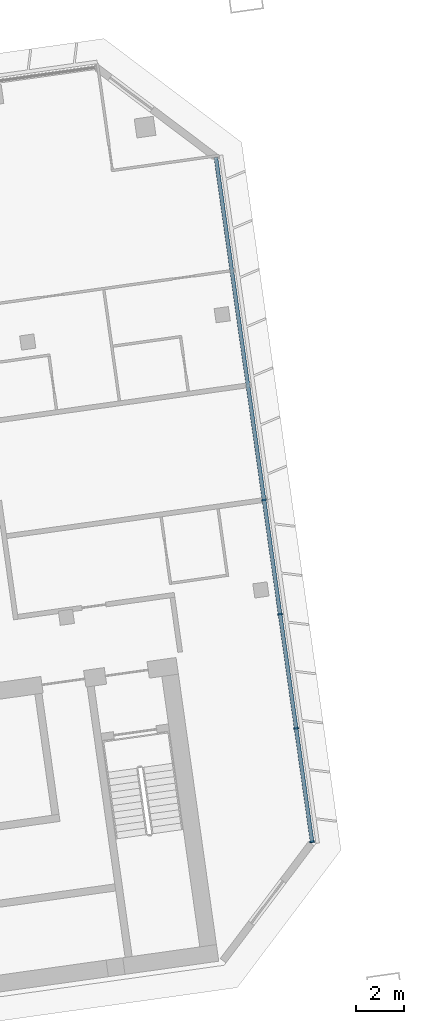
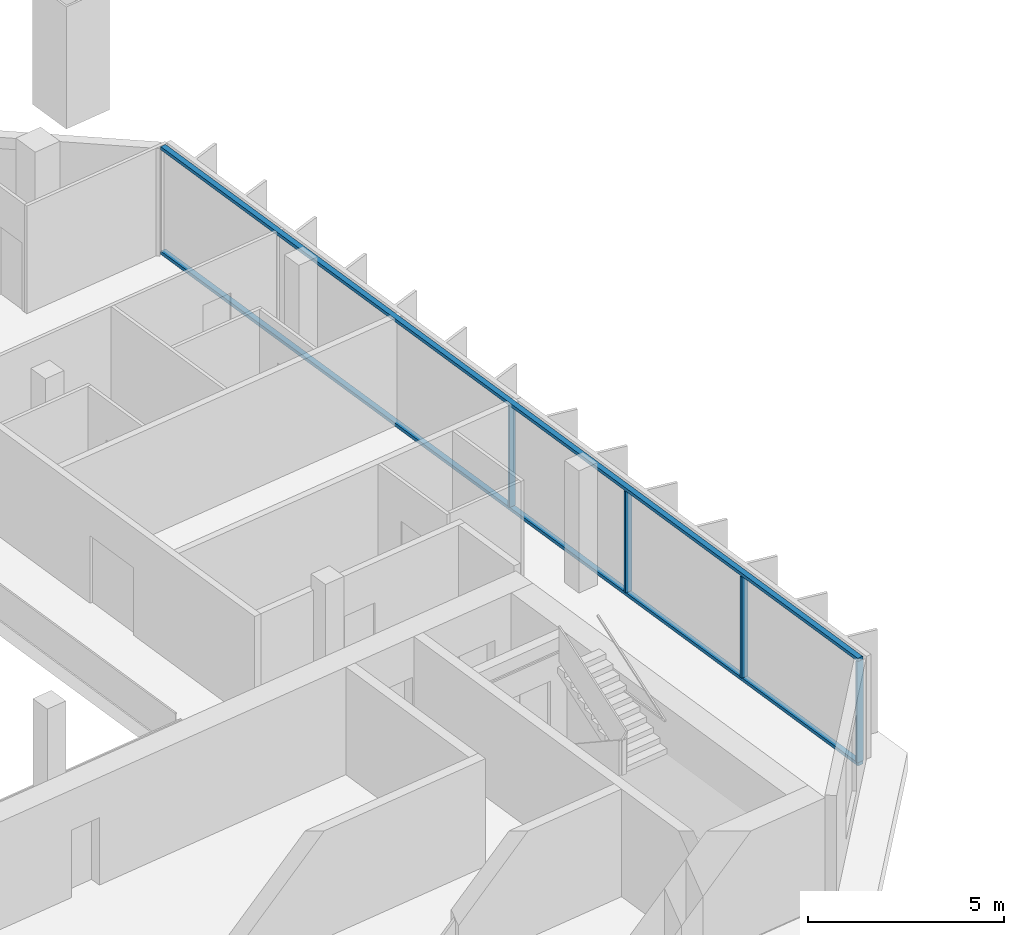
# One storey, part 10 of 26: 6 members, 1 element without a shape of its own.
"""IFC4 building model written with IfcOpenShell, lengths in metres."""

from ifc_helpers import new_model, si_unit, direction, frame, origin, origin_2d, place, context, subcontext, project, spatial, rectangle, extrude, material, material_profile, profile_set, type_object, element, aggregate, save


model = new_model("IFC4")

# Units and contexts
model_context = context("Model", 3, precision=1e-05, world=origin(), true_north=direction((0.0, 1.0)))
body_context = subcontext(model_context, "Body", "Model", "MODEL_VIEW")
ifc_project = project(units=[si_unit("LENGTHUNIT", "METRE"), si_unit("AREAUNIT", "SQUARE_METRE"), si_unit("VOLUMEUNIT", "CUBIC_METRE"), si_unit("PLANEANGLEUNIT", "RADIAN"), si_unit("MASSUNIT", "GRAM", prefix="KILO")], contexts=[model_context])

# Site, building, storey
site_placement = place(None, origin())
site = spatial("IfcSite", under=ifc_project, at=site_placement, CompositionType="ELEMENT")
building_placement = place(site_placement, origin())
building = spatial("IfcBuilding", under=site, at=building_placement, Name="Mirante Cascada Hotel Towers", CompositionType="ELEMENT")
storey_placement = place(building_placement, frame((0.0, 0.0, 168.8)))
storey = spatial("IfcBuildingStorey", under=building, at=storey_placement, Name="L39", CompositionType="ELEMENT", Elevation=168.8)

# Curtain wall, members
ifc_material_1 = material(Name="Aluminium mullion and transom frame with clear laminated glass", Category="aluminium")
curtain_wall_type = type_object("IfcCurtainWallType", Name="End ribbon curtain wall ECW2", PredefinedType="NOTDEFINED", material=ifc_material_1)
curtain_wall_placement = place(storey_placement, origin())
curtain_wall = element("IfcCurtainWall", 1, at=curtain_wall_placement, inside=storey, type_object=curtain_wall_type, Name="Outer end wall T2 L39", PredefinedType="NOTDEFINED")
ifc_material_2 = material(Name="Anodised aluminium extrusion", Category="aluminium")
ifc_material_profile_1 = material_profile(ifc_material_2, rectangle(XDim=0.2, YDim=0.065, at=origin_2d()), Name="ECW2 MULLION 65x200")
ifc_profile_set_1 = profile_set([ifc_material_profile_1], Name="Anodised aluminium extrusion")
member_type_1 = type_object("IfcMemberType", Name="ECW2 mullion 65x200", PredefinedType="MULLION", material=ifc_profile_set_1)
member_1_placement = place(storey_placement, frame((94.2432, -7.5181, 0.1), z_axis=(0.0, 0.0, 1.0), x_axis=(-0.9902681, -0.1391731, 0.0)))
member_1 = element("IfcMember", 2, at=member_1_placement, type_object=member_type_1, Name="ECW2 mullion 1", PredefinedType="MULLION", context=body_context, shape_type="SweptSolid", body=[
    extrude(rectangle(XDim=0.2, YDim=0.065, at=origin_2d()), origin(), (0.0, 0.0, 1.0), 3.15),
])
member_2_placement = place(storey_placement, frame((93.5779, -2.7845, 0.1), z_axis=(0.0, 0.0, 1.0), x_axis=(-0.9902681, -0.1391731, 0.0)))
member_2 = element("IfcMember", 3, at=member_2_placement, type_object=member_type_1, Name="ECW2 mullion 2", PredefinedType="MULLION", context=body_context, shape_type="SweptSolid", body=[
    extrude(rectangle(XDim=0.2, YDim=0.065, at=origin_2d()), origin(), (0.0, 0.0, 1.0), 3.15),
])
member_3_placement = place(storey_placement, frame((92.9081, 1.9812, 0.1), z_axis=(0.0, 0.0, 1.0), x_axis=(-0.9902681, -0.1391731, 0.0)))
member_3 = element("IfcMember", 4, at=member_3_placement, type_object=member_type_1, Name="ECW2 mullion 3", PredefinedType="MULLION", context=body_context, shape_type="SweptSolid", body=[
    extrude(rectangle(XDim=0.2, YDim=0.065, at=origin_2d()), origin(), (0.0, 0.0, 1.0), 3.15),
])
member_4_placement = place(storey_placement, frame((92.2383, 6.747, 0.1), z_axis=(0.0, 0.0, 1.0), x_axis=(-0.9902681, -0.1391731, 0.0)))
member_4 = element("IfcMember", 5, at=member_4_placement, type_object=member_type_1, Name="ECW2 mullion 4", PredefinedType="MULLION", context=body_context, shape_type="SweptSolid", body=[
    extrude(rectangle(XDim=0.2, YDim=0.065, at=origin_2d()), origin(), (0.0, 0.0, 1.0), 3.15),
])
ifc_material_3 = material(Name="Anodised aluminium extrusion", Category="aluminium")
ifc_material_profile_2 = material_profile(ifc_material_3, rectangle(XDim=0.16, YDim=0.1, at=origin_2d()), Name="ECW2 TRANSOM 100x160")
ifc_profile_set_2 = profile_set([ifc_material_profile_2], Name="Anodised aluminium extrusion")
member_type_2 = type_object("IfcMemberType", Name="ECW2 transom 100x160", PredefinedType="USERDEFINED", material=ifc_profile_set_2)
member_5_placement = place(storey_placement, frame((94.2477, -7.5503, 0.05), z_axis=(-0.1391723, 0.9902682, 0.0), x_axis=(-0.9902682, -0.1391723, 0.0)))
member_5 = element("IfcMember", 6, at=member_5_placement, type_object=member_type_2, Name="ECW2 sill transom", ObjectType="TRANSOM", PredefinedType="USERDEFINED", context=body_context, shape_type="SweptSolid", body=[
    extrude(rectangle(XDim=0.16, YDim=0.1, at=origin_2d()), origin(), (0.0, 0.0, 1.0), 28.8757),
])
member_6_placement = place(storey_placement, frame((94.2477, -7.5503, 3.3), z_axis=(-0.1391723, 0.9902682, 0.0), x_axis=(-0.9902682, -0.1391723, 0.0)))
member_6 = element("IfcMember", 7, at=member_6_placement, type_object=member_type_2, Name="ECW2 head transom", ObjectType="TRANSOM", PredefinedType="USERDEFINED", context=body_context, shape_type="SweptSolid", body=[
    extrude(rectangle(XDim=0.16, YDim=0.1, at=origin_2d()), origin(), (0.0, 0.0, 1.0), 28.8757),
])
aggregate(curtain_wall, [member_5, member_6, member_1, member_2, member_3, member_4])

save(model, "model.ifc")
